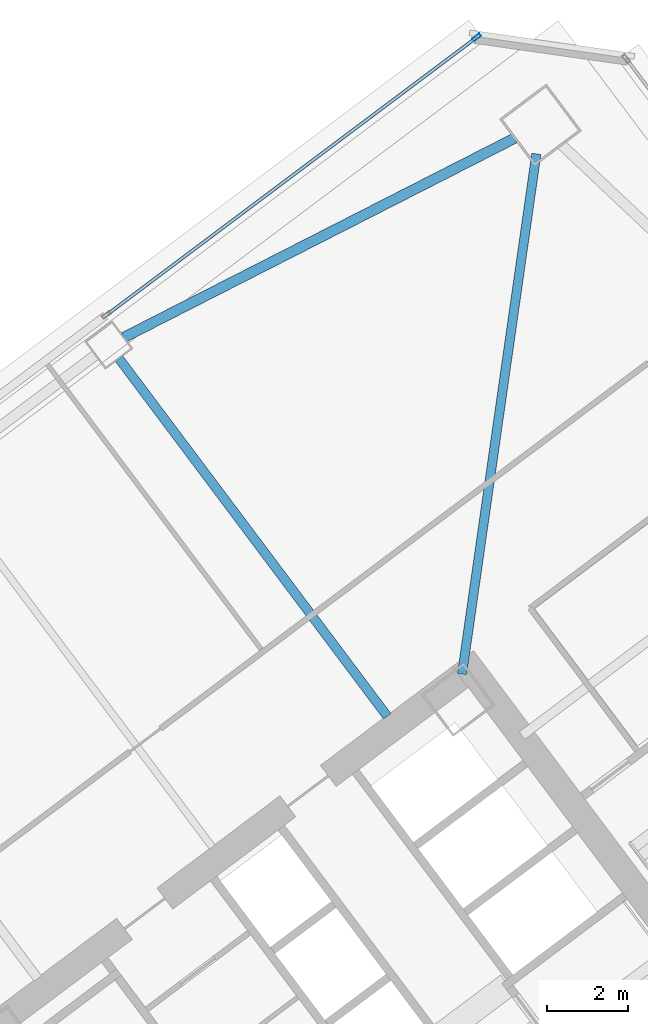
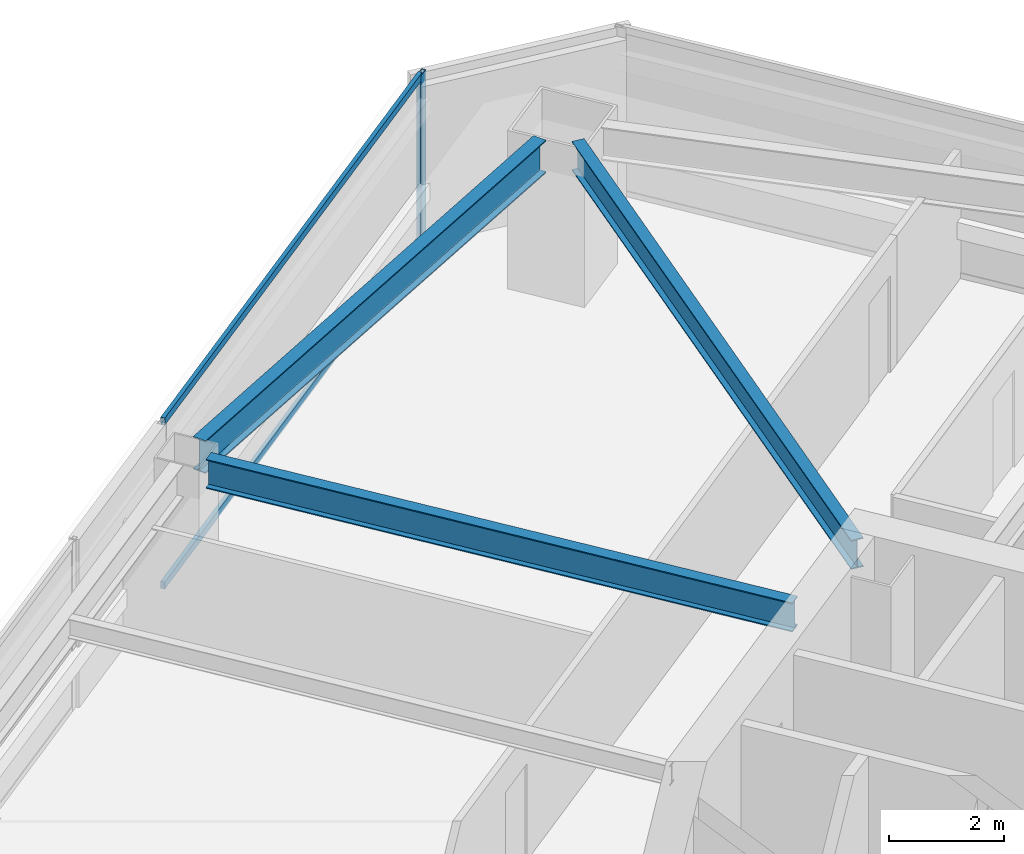
# One storey, part 29 of 46: 3 beams, 3 members, 1 element without a shape of its own.
"""IFC4 building model written with IfcOpenShell, lengths in metres."""

from ifc_helpers import new_model, si_unit, direction, frame, origin, origin_2d, place, context, subcontext, project, spatial, hollow_rectangle, i_section, extrude, material, material_profile, profile_set, type_object, element, aggregate, save


model = new_model("IFC4")

# Units and contexts
model_context = context("Model", 3, precision=1e-05, world=origin(), true_north=direction((0.0, 1.0)))
body_context = subcontext(model_context, "Body", "Model", "MODEL_VIEW")
ifc_project = project(units=[si_unit("LENGTHUNIT", "METRE"), si_unit("AREAUNIT", "SQUARE_METRE"), si_unit("VOLUMEUNIT", "CUBIC_METRE"), si_unit("PLANEANGLEUNIT", "RADIAN"), si_unit("MASSUNIT", "GRAM", prefix="KILO")], contexts=[model_context])

# Site, building, storey
site_placement = place(None, origin())
site = spatial("IfcSite", under=ifc_project, at=site_placement, CompositionType="ELEMENT")
building_placement = place(site_placement, origin())
building = spatial("IfcBuilding", under=site, at=building_placement, Name="Tashvorn Skyway Center", CompositionType="ELEMENT")
storey_placement = place(building_placement, frame((0.0, 0.0, 99.14990234375)))
storey = spatial("IfcBuildingStorey", under=building, at=storey_placement, Name="L26", CompositionType="ELEMENT", Elevation=99.14990234375)

# Beams
ifc_material_1 = material(Name="Steel ASTM A992 Grade 50", Category="steel")
ifc_material_profile_1 = material_profile(ifc_material_1, i_section(OverallWidth=0.22998046875, OverallDepth=0.616943359375, WebThickness=0.01318359375, FlangeThickness=0.022216796875, at=origin_2d()), Name="W24X94")
ifc_profile_set_1 = profile_set([ifc_material_profile_1], Name="Steel ASTM A992 Grade 50")
beam_type_1 = type_object("IfcBeamType", Name="BM-BEAM-W24X94", PredefinedType="BEAM", material=ifc_profile_set_1)
beam_1_placement = place(storey_placement, frame((117.338134765625, 55.3671875, 3.04150390625), z_axis=(-0.141418724841, -0.989949869571, 0.0), x_axis=(0.989949869571, -0.141418724841, 0.0)))
element("IfcBeam", 1, at=beam_1_placement, inside=storey, type_object=beam_type_1, Name="Tower 2 L26 Primary Floor Girder MC-NE", PredefinedType="BEAM", context=body_context, shape_type="SweptSolid", body=[
    extrude(i_section(OverallWidth=0.22998046875, OverallDepth=0.616943359375, WebThickness=0.01318359375, FlangeThickness=0.022216796875, at=origin_2d()), origin(), (0.0, 0.0, 1.0), 12.9892578125),
])
beam_2_placement = place(storey_placement, frame((107.02197265625, 50.303955078125, 3.04150390625), z_axis=(0.60001414024, -0.799989394625, 0.0), x_axis=(0.799989394625, 0.60001414024, 0.0)))
element("IfcBeam", 2, at=beam_2_placement, inside=storey, type_object=beam_type_1, Name="Tower 2 L26 Primary Floor Girder FC-N1", PredefinedType="BEAM", context=body_context, shape_type="SweptSolid", body=[
    extrude(i_section(OverallWidth=0.22998046875, OverallDepth=0.616943359375, WebThickness=0.01318359375, FlangeThickness=0.022216796875, at=origin_2d()), origin(), (0.0, 0.0, 1.0), 11.050048828125),
])
ifc_material_profile_2 = material_profile(ifc_material_1, i_section(OverallWidth=0.256103515625, OverallDepth=0.693115234375, WebThickness=0.014404296875, FlangeThickness=0.023681640625, at=origin_2d()), Name="W27X114")
ifc_profile_set_2 = profile_set([ifc_material_profile_2], Name="Steel ASTM A992 Grade 50")
beam_type_2 = type_object("IfcBeamType", Name="BM-SPANDREL-W27X114", PredefinedType="SPANDREL", material=ifc_profile_set_2)
beam_3_placement = place(storey_placement, frame((116.798583984375, 55.7529296875, 3.003662109375), z_axis=(-0.890894170442, -0.454210938961, 0.0), x_axis=(0.454210938961, -0.890894170442, 0.0)))
element("IfcBeam", 3, at=beam_3_placement, inside=storey, type_object=beam_type_2, Name="Tower 2 L26 Spandrel Beam 07", PredefinedType="SPANDREL", context=body_context, shape_type="SweptSolid", body=[
    extrude(i_section(OverallWidth=0.256103515625, OverallDepth=0.693115234375, WebThickness=0.014404296875, FlangeThickness=0.023681640625, at=origin_2d()), origin(), (0.0, 0.0, 1.0), 10.836669921875),
])

# Curtain wall, members
ifc_material_2 = material(Name="Thermally broken bronze-anodized aluminium 6063-T6", Category="aluminium")
curtain_wall_type = type_object("IfcCurtainWallType", Name="CW-CW-Z2", PredefinedType="NOTDEFINED", material=ifc_material_2)
curtain_wall_placement = place(storey_placement, origin())
curtain_wall = element("IfcCurtainWall", 4, at=curtain_wall_placement, inside=storey, type_object=curtain_wall_type, Name="Tower 2 L26 North Unitised Curtain Wall Glazing Group 3", PredefinedType="NOTDEFINED")
ifc_material_profile_3 = material_profile(ifc_material_2, hollow_rectangle(XDim=0.080078125, YDim=0.219970703125, WallThickness=0.0048828125, at=origin_2d()), Name="ALU-MULL-80x220")
ifc_profile_set_3 = profile_set([ifc_material_profile_3], Name="Thermally broken bronze-anodized aluminium 6063-T6")
member_type_1 = type_object("IfcMemberType", Name="CWM-CW-Z2", PredefinedType="MULLION", material=ifc_profile_set_3)
member_1_placement = place(storey_placement, frame((115.864013671875, 58.248046875, 0.0), z_axis=(0.0, 0.0, 1.0), x_axis=(-0.600000000002, 0.799999999998, 0.0)))
member_1 = element("IfcMember", 5, at=member_1_placement, type_object=member_type_1, Name="CW-Z2 mullion 2", PredefinedType="MULLION", context=body_context, shape_type="SweptSolid", body=[
    extrude(hollow_rectangle(XDim=0.080078125, YDim=0.219970703125, WallThickness=0.0048828125, at=origin_2d()), origin(), (0.0, 0.0, 1.0), 3.550048828125),
])
ifc_material_profile_4 = material_profile(ifc_material_2, hollow_rectangle(XDim=0.080078125, YDim=0.14990234375, WallThickness=0.00439453125, at=origin_2d()), Name="ALU-TRAN-80x150")
ifc_profile_set_4 = profile_set([ifc_material_profile_4], Name="Thermally broken bronze-anodized aluminium 6063-T6")
member_type_2 = type_object("IfcMemberType", Name="CWT-CW-Z2", PredefinedType="USERDEFINED", material=ifc_profile_set_4)
member_2_placement = place(storey_placement, frame((106.743896484375, 51.407958984375, 0.0400390625), z_axis=(0.799997421089, 0.600003438533, 0.0), x_axis=(-0.600003438533, 0.799997421089, 0.0)))
member_2 = element("IfcMember", 6, at=member_2_placement, type_object=member_type_2, Name="CW-Z2 transom 1.1", ObjectType="TRANSOM", PredefinedType="USERDEFINED", context=body_context, shape_type="SweptSolid", body=[
    extrude(hollow_rectangle(XDim=0.080078125, YDim=0.14990234375, WallThickness=0.00439453125, at=origin_2d()), origin(), (0.0, 0.0, 1.0), 11.360107421875),
])
member_3_placement = place(storey_placement, frame((106.743896484375, 51.407958984375, 3.510009765625), z_axis=(0.799997421089, 0.600003438533, 0.0), x_axis=(-0.600003438533, 0.799997421089, 0.0)))
member_3 = element("IfcMember", 7, at=member_3_placement, type_object=member_type_2, Name="CW-Z2 transom 1.2", ObjectType="TRANSOM", PredefinedType="USERDEFINED", context=body_context, shape_type="SweptSolid", body=[
    extrude(hollow_rectangle(XDim=0.080078125, YDim=0.14990234375, WallThickness=0.00439453125, at=origin_2d()), origin(), (0.0, 0.0, 1.0), 11.360107421875),
])
aggregate(curtain_wall, [member_1, member_2, member_3])

save(model, "model.ifc")
